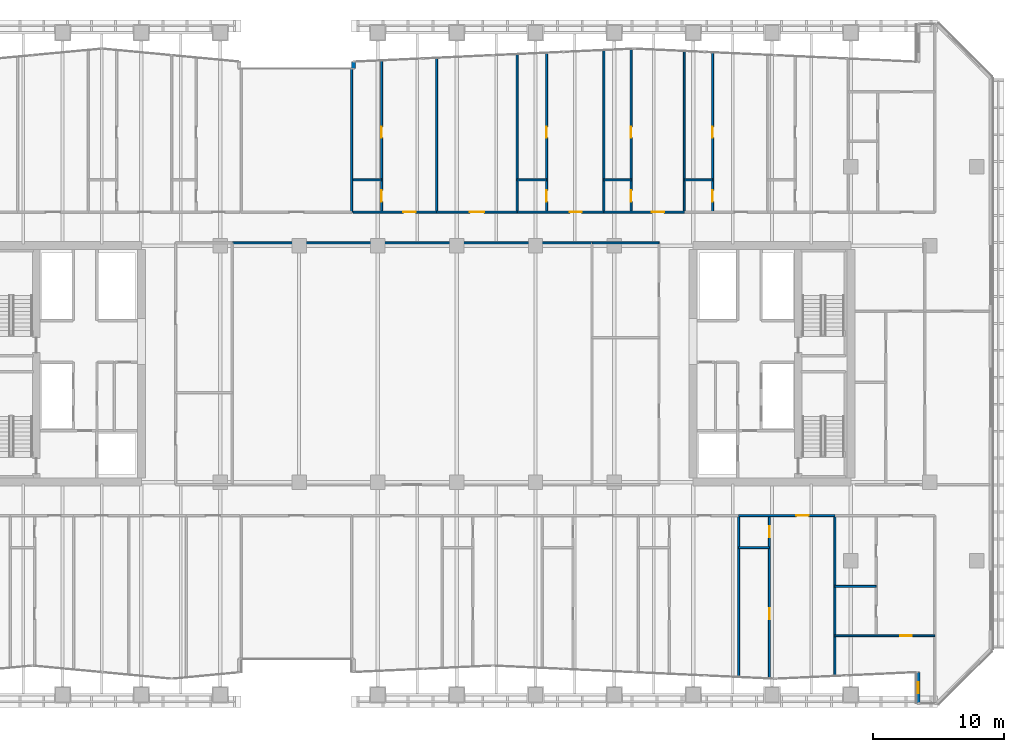
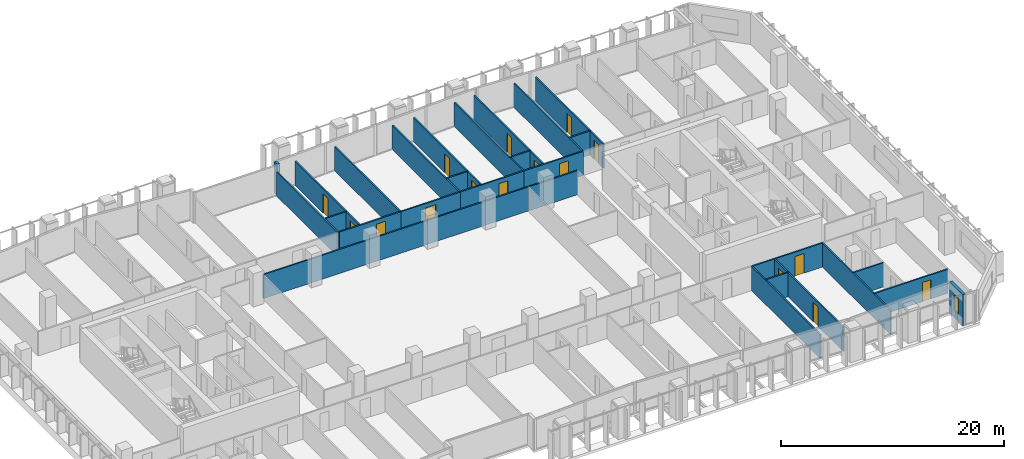
# One storey, part 23 of 32: 28 walls, 16 doors, 1 window, 17 openings.
"""IFC4 building model written with IfcOpenShell, lengths in metres."""

from ifc_helpers import new_model, si_unit, direction, frame, frame_2d, origin, place, context, subcontext, project, spatial, rectangle, extrude, material, layer, layer_set, type_object, element, fill, save


model = new_model("IFC4")

# Units and contexts
model_context = context("Model", 3, precision=1e-05, world=origin(), true_north=direction((0.0, 1.0)))
body_context = subcontext(model_context, "Body", "Model", "MODEL_VIEW")
ifc_project = project(units=[si_unit("LENGTHUNIT", "METRE"), si_unit("AREAUNIT", "SQUARE_METRE"), si_unit("VOLUMEUNIT", "CUBIC_METRE"), si_unit("PLANEANGLEUNIT", "RADIAN"), si_unit("MASSUNIT", "GRAM", prefix="KILO")], contexts=[model_context])

# Site, building, storey
site_placement = place(None, origin())
site = spatial("IfcSite", under=ifc_project, at=site_placement, CompositionType="ELEMENT")
building_placement = place(site_placement, origin())
building = spatial("IfcBuilding", under=site, at=building_placement, Name="Tanjung Sevakor Pilgrim Tower", CompositionType="ELEMENT")
storey_placement = place(building_placement, frame((0.0, 0.0, 62.3701171875)))
storey = spatial("IfcBuildingStorey", under=building, at=storey_placement, Name="L17", CompositionType="ELEMENT", Elevation=62.3701171875)

# Walls
ifc_material_1 = material(Name="Concrete C40/50", Category="concrete")
ifc_layer_1 = layer(ifc_material_1, 0.14990234375)
ifc_layer_set_1 = layer_set([ifc_layer_1], Name="WT-COMP-150")
wall_type_1 = type_object("IfcWallType", Name="WT-COMP-150", PredefinedType="SOLIDWALL", material=ifc_layer_set_1)
wall_1_placement = place(storey_placement, frame((42.89990234375, 42.800048828125, 0.0), z_axis=(0.0, 0.0, 1.0), x_axis=(1.0, 0.0, 0.0)))
element("IfcWall", 1, at=wall_1_placement, inside=storey, type_object=wall_type_1, Name="L17 Partition IW-L17-031", PredefinedType="SOLIDWALL", context=body_context, shape_type="SweptSolid", body=[
    extrude(rectangle(XDim=27.400146484375, YDim=0.14990234375, at=frame_2d((13.7001953125, 0.0))), origin(), (0.0, 0.0, 1.0), 2.625244140625),
])
wall_2_placement = place(storey_placement, frame((70.300048828125, 42.800048828125, 0.0), z_axis=(0.0, 0.0, 1.0), x_axis=(1.0, 0.0, 0.0)))
element("IfcWall", 2, at=wall_2_placement, inside=storey, type_object=wall_type_1, Name="L17 Partition IW-L17-037", PredefinedType="SOLIDWALL", context=body_context, shape_type="SweptSolid", body=[
    extrude(rectangle(XDim=5.099853515625, YDim=0.14990234375, at=frame_2d((2.5498046875, 0.0))), origin(), (0.0, 0.0, 1.0), 2.625244140625),
])
wall_3_placement = place(storey_placement, frame((52.0, 45.14990234375, 0.0), z_axis=(0.0, 0.0, 1.0), x_axis=(0.0, 1.0, 0.0)))
element("IfcWall", 3, at=wall_3_placement, inside=storey, type_object=wall_type_1, Name="L17 Partition IW-L17-051", PredefinedType="SOLIDWALL", context=body_context, shape_type="SweptSolid", body=[
    extrude(rectangle(XDim=10.91015625, YDim=0.14990234375, at=frame_2d((5.455078125, 0.0))), origin(), (0.0, 0.0, 1.0), 2.6298828125),
])
wall_4_placement = place(storey_placement, frame((81.451904296875, 9.750244140625, 0.0), z_axis=(0.0, 0.0, 1.0), x_axis=(0.0, 1.0, 0.0)))
element("IfcWall", 4, at=wall_4_placement, inside=storey, type_object=wall_type_1, Name="L17 Partition IW-L17-075", PredefinedType="SOLIDWALL", context=body_context, shape_type="SweptSolid", body=[
    extrude(rectangle(XDim=12.2998046875, YDim=0.14990234375, at=frame_2d((6.14990234375, 0.0))), origin(), (0.0, 0.0, 1.0), 2.6298828125),
])
wall_5_placement = place(storey_placement, frame((88.784912109375, 9.8310546875, 0.0), z_axis=(0.0, 0.0, 1.0), x_axis=(0.0, 1.0, 0.0)))
element("IfcWall", 5, at=wall_5_placement, inside=storey, type_object=wall_type_1, Name="L17 Partition IW-L17-079", PredefinedType="SOLIDWALL", context=body_context, shape_type="SweptSolid", body=[
    extrude(rectangle(XDim=12.218994140625, YDim=0.14990234375, at=frame_2d((6.109375, 0.0))), origin(), (0.0, 0.0, 1.0), 2.6298828125),
])

# Wall, opening, door
wall_6_placement = place(storey_placement, frame((81.451904296875, 22.050048828125, 0.0), z_axis=(0.0, 0.0, 1.0), x_axis=(1.0, 0.0, 0.0)))
wall_6 = element("IfcWall", 6, at=wall_6_placement, inside=storey, type_object=wall_type_1, Name="L17 Partition IW-L17-082", PredefinedType="SOLIDWALL", context=body_context, shape_type="SweptSolid", body=[
    extrude(rectangle(XDim=7.3330078125, YDim=0.14990234375, at=frame_2d((3.66650390625, 0.0))), origin(), (0.0, 0.0, 1.0), 2.6298828125),
])
opening_1_placement = place(wall_6_placement, frame((4.406494140625, 0.0, 0.0)))
opening_1 = element("IfcOpeningElement", 7, at=opening_1_placement, cuts=wall_6, Name="Opening ID-FD2", PredefinedType="OPENING", context=body_context, shape_type="SweptSolid", body=[
    extrude(rectangle(XDim=0.949951171875, YDim=2.14990234375, at=frame_2d((0.47509765625, 1.074951171875))), frame((0.0, 0.0849609375, 0.0), z_axis=(0.0, -1.0, 0.0), x_axis=(1.0, 0.0, 0.0)), (0.0, 0.0, 1.0), 0.169921875),
])
ifc_material_2 = material(Name="Fire-Rated Timber", Category="wood")
door_type_1 = type_object("IfcDoorType", Name="DT-FIRE-950", OperationType="NOTDEFINED", PredefinedType="DOOR", material=ifc_material_2)
door_1_placement = place(opening_1_placement, origin())
door_1 = element("IfcDoor", 8, at=door_1_placement, inside=storey, type_object=door_type_1, Name="Hostel Quad Entrance", OperationType="SINGLE_SWING_LEFT", OverallHeight=2.14990234375, OverallWidth=0.949951171875, PredefinedType="DOOR", context=body_context, shape_type="SweptSolid", body=[
    extrude(rectangle(XDim=0.949951171875, YDim=2.14990234375, at=frame_2d((0.47509765625, 1.074951171875))), frame((0.0, 0.02490234375, 0.0), z_axis=(0.0, -1.0, 0.0), x_axis=(1.0, 0.0, 0.0)), (0.0, 0.0, 1.0), 0.050048828125),
])
fill(opening_1, door_1)

# Wall
wall_7_placement = place(storey_placement, frame((58.4794921875, 45.14990234375, 0.0), z_axis=(0.0, 0.0, 1.0), x_axis=(0.0, 1.0, 0.0)))
element("IfcWall", 9, at=wall_7_placement, inside=storey, type_object=wall_type_1, Name="L17 Partition IW-L17-100", PredefinedType="SOLIDWALL", context=body_context, shape_type="SweptSolid", body=[
    extrude(rectangle(XDim=11.7314453125, YDim=0.14990234375, at=frame_2d((5.86572265625, 0.0))), origin(), (0.0, 0.0, 1.0), 2.6298828125),
])

# Wall, opening, door
wall_8_placement = place(storey_placement, frame((52.1201171875, 45.14990234375, 0.0), z_axis=(0.0, 0.0, 1.0), x_axis=(1.0, 0.0, 0.0)))
wall_8 = element("IfcWall", 10, at=wall_8_placement, inside=storey, type_object=wall_type_1, Name="L17 Partition IW-L17-103", PredefinedType="SOLIDWALL", context=body_context, shape_type="SweptSolid", body=[
    extrude(rectangle(XDim=6.359375, YDim=0.14990234375, at=frame_2d((3.1796875, 0.0))), origin(), (0.0, 0.0, 1.0), 2.6298828125),
])
opening_2_placement = place(wall_8_placement, frame((3.82568359375, 0.0, 0.0)))
opening_2 = element("IfcOpeningElement", 11, at=opening_2_placement, cuts=wall_8, Name="Opening ID-FD2", PredefinedType="OPENING", context=body_context, shape_type="SweptSolid", body=[
    extrude(rectangle(XDim=0.949951171875, YDim=2.14990234375, at=frame_2d((0.47509765625, 1.074951171875))), frame((0.0, 0.0849609375, 0.0), z_axis=(0.0, -1.0, 0.0), x_axis=(1.0, 0.0, 0.0)), (0.0, 0.0, 1.0), 0.169921875),
])
door_2_placement = place(opening_2_placement, origin())
door_2 = element("IfcDoor", 12, at=door_2_placement, inside=storey, type_object=door_type_1, Name="Hostel Quad Entrance", OperationType="SINGLE_SWING_RIGHT", OverallHeight=2.14990234375, OverallWidth=0.949951171875, PredefinedType="DOOR", context=body_context, shape_type="SweptSolid", body=[
    extrude(rectangle(XDim=0.949951171875, YDim=2.14990234375, at=frame_2d((0.47509765625, 1.074951171875))), frame((0.0, 0.02490234375, 0.0), z_axis=(0.0, -1.0, 0.0), x_axis=(1.0, 0.0, 0.0)), (0.0, 0.0, 1.0), 0.050048828125),
])
fill(opening_2, door_2)

# Wall
wall_9_placement = place(storey_placement, frame((64.603271484375, 45.14990234375, 0.0), z_axis=(0.0, 0.0, 1.0), x_axis=(0.0, 1.0, 0.0)))
element("IfcWall", 13, at=wall_9_placement, inside=storey, type_object=wall_type_1, Name="L17 Partition IW-L17-104", PredefinedType="SOLIDWALL", context=body_context, shape_type="SweptSolid", body=[
    extrude(rectangle(XDim=12.01611328125, YDim=0.14990234375, at=frame_2d((6.008056640625, 0.0))), origin(), (0.0, 0.0, 1.0), 2.6298828125),
])

# Wall, opening, door
wall_10_placement = place(storey_placement, frame((58.4794921875, 45.14990234375, 0.0), z_axis=(0.0, 0.0, 1.0), x_axis=(1.0, 0.0, 0.0)))
wall_10 = element("IfcWall", 14, at=wall_10_placement, inside=storey, type_object=wall_type_1, Name="L17 Partition IW-L17-105", PredefinedType="SOLIDWALL", context=body_context, shape_type="SweptSolid", body=[
    extrude(rectangle(XDim=6.123779296875, YDim=0.14990234375, at=frame_2d((3.06201171875, 0.0))), origin(), (0.0, 0.0, 1.0), 2.6298828125),
])
opening_3_placement = place(wall_10_placement, frame((2.511962890625, 0.0, 0.0)))
opening_3 = element("IfcOpeningElement", 15, at=opening_3_placement, cuts=wall_10, Name="Opening ID-FD0", PredefinedType="OPENING", context=body_context, shape_type="SweptSolid", body=[
    extrude(rectangle(XDim=1.10009765625, YDim=2.14990234375, at=frame_2d((0.550048828125, 1.074951171875))), frame((0.0, 0.0849609375, 0.0), z_axis=(0.0, -1.0, 0.0), x_axis=(1.0, 0.0, 0.0)), (0.0, 0.0, 1.0), 0.169921875),
])
ifc_material_3 = material(Name="Fire-Rated Steel S355J2", Category="steel")
door_type_2 = type_object("IfcDoorType", Name="DT-FIRE-1100", OperationType="NOTDEFINED", PredefinedType="DOOR", material=ifc_material_3)
door_3_placement = place(opening_3_placement, origin())
door_3 = element("IfcDoor", 16, at=door_3_placement, inside=storey, type_object=door_type_2, Name="Communal Lounge Door", OperationType="SINGLE_SWING_LEFT", OverallHeight=2.14990234375, OverallWidth=1.10009765625, PredefinedType="DOOR", context=body_context, shape_type="SweptSolid", body=[
    extrude(rectangle(XDim=1.10009765625, YDim=2.14990234375, at=frame_2d((0.550048828125, 1.074951171875))), frame((0.0, 0.02490234375, 0.0), z_axis=(0.0, -1.0, 0.0), x_axis=(1.0, 0.0, 0.0)), (0.0, 0.0, 1.0), 0.050048828125),
])
fill(opening_3, door_3)

# Wall
wall_11_placement = place(storey_placement, frame((71.197998046875, 45.14990234375, 0.0), z_axis=(0.0, 0.0, 1.0), x_axis=(0.0, 1.0, 0.0)))
element("IfcWall", 17, at=wall_11_placement, inside=storey, type_object=wall_type_1, Name="L17 Partition IW-L17-106", PredefinedType="SOLIDWALL", context=body_context, shape_type="SweptSolid", body=[
    extrude(rectangle(XDim=12.322998046875, YDim=0.14990234375, at=frame_2d((6.16162109375, 0.0))), origin(), (0.0, 0.0, 1.0), 2.6298828125),
])

# Wall, opening, door
wall_12_placement = place(storey_placement, frame((64.603271484375, 45.14990234375, 0.0), z_axis=(0.0, 0.0, 1.0), x_axis=(1.0, 0.0, 0.0)))
wall_12 = element("IfcWall", 18, at=wall_12_placement, inside=storey, type_object=wall_type_1, Name="L17 Partition IW-L17-109", PredefinedType="SOLIDWALL", context=body_context, shape_type="SweptSolid", body=[
    extrude(rectangle(XDim=6.5947265625, YDim=0.14990234375, at=frame_2d((3.29736328125, 0.0))), origin(), (0.0, 0.0, 1.0), 2.6298828125),
])
opening_4_placement = place(wall_12_placement, frame((3.983642578125, 0.0, 0.0)))
opening_4 = element("IfcOpeningElement", 19, at=opening_4_placement, cuts=wall_12, Name="Opening ID-FD2", PredefinedType="OPENING", context=body_context, shape_type="SweptSolid", body=[
    extrude(rectangle(XDim=0.949951171875, YDim=2.14990234375, at=frame_2d((0.47509765625, 1.074951171875))), frame((0.0, 0.0849609375, 0.0), z_axis=(0.0, -1.0, 0.0), x_axis=(1.0, 0.0, 0.0)), (0.0, 0.0, 1.0), 0.169921875),
])
door_4_placement = place(opening_4_placement, origin())
door_4 = element("IfcDoor", 20, at=door_4_placement, inside=storey, type_object=door_type_1, Name="Hostel Quad Entrance", OperationType="SINGLE_SWING_RIGHT", OverallHeight=2.14990234375, OverallWidth=0.949951171875, PredefinedType="DOOR", context=body_context, shape_type="SweptSolid", body=[
    extrude(rectangle(XDim=0.949951171875, YDim=2.14990234375, at=frame_2d((0.47509765625, 1.074951171875))), frame((0.0, 0.02490234375, 0.0), z_axis=(0.0, -1.0, 0.0), x_axis=(1.0, 0.0, 0.0)), (0.0, 0.0, 1.0), 0.050048828125),
])
fill(opening_4, door_4)

# Wall
wall_13_placement = place(storey_placement, frame((77.322021484375, 45.14990234375, 0.0), z_axis=(0.0, 0.0, 1.0), x_axis=(0.0, 1.0, 0.0)))
element("IfcWall", 21, at=wall_13_placement, inside=storey, type_object=wall_type_1, Name="L17 Partition IW-L17-110", PredefinedType="SOLIDWALL", context=body_context, shape_type="SweptSolid", body=[
    extrude(rectangle(XDim=12.252197265625, YDim=0.14990234375, at=frame_2d((6.1259765625, 0.0))), origin(), (0.0, 0.0, 1.0), 2.6298828125),
])

# Wall, opening, door
wall_14_placement = place(storey_placement, frame((71.197998046875, 45.14990234375, 0.0), z_axis=(0.0, 0.0, 1.0), x_axis=(1.0, 0.0, 0.0)))
wall_14 = element("IfcWall", 22, at=wall_14_placement, inside=storey, type_object=wall_type_1, Name="L17 Partition IW-L17-113", PredefinedType="SOLIDWALL", context=body_context, shape_type="SweptSolid", body=[
    extrude(rectangle(XDim=6.1240234375, YDim=0.14990234375, at=frame_2d((3.06201171875, 0.0))), origin(), (0.0, 0.0, 1.0), 2.6298828125),
])
opening_5_placement = place(wall_14_placement, frame((3.66796875, 0.0, 0.0)))
opening_5 = element("IfcOpeningElement", 23, at=opening_5_placement, cuts=wall_14, Name="Opening ID-FD2", PredefinedType="OPENING", context=body_context, shape_type="SweptSolid", body=[
    extrude(rectangle(XDim=0.949951171875, YDim=2.14990234375, at=frame_2d((0.47509765625, 1.074951171875))), frame((0.0, 0.0849609375, 0.0), z_axis=(0.0, -1.0, 0.0), x_axis=(1.0, 0.0, 0.0)), (0.0, 0.0, 1.0), 0.169921875),
])
door_5_placement = place(opening_5_placement, origin())
door_5 = element("IfcDoor", 24, at=door_5_placement, inside=storey, type_object=door_type_1, Name="Hostel Quad Entrance", OperationType="SINGLE_SWING_LEFT", OverallHeight=2.14990234375, OverallWidth=0.949951171875, PredefinedType="DOOR", context=body_context, shape_type="SweptSolid", body=[
    extrude(rectangle(XDim=0.949951171875, YDim=2.14990234375, at=frame_2d((0.47509765625, 1.074951171875))), frame((0.0, 0.02490234375, 0.0), z_axis=(0.0, -1.0, 0.0), x_axis=(1.0, 0.0, 0.0)), (0.0, 0.0, 1.0), 0.050048828125),
])
fill(opening_5, door_5)

# Wall, opening, window
ifc_material_4 = material(Name="Precast concrete C45/55", Category="concrete")
ifc_layer_2 = layer(ifc_material_4, 0.280029296875)
ifc_layer_set_2 = layer_set([ifc_layer_2], Name="WT-EW-STN2")
wall_type_2 = type_object("IfcWallType", Name="WT-EW-STN2", PredefinedType="SOLIDWALL", material=ifc_layer_set_2)
wall_15_placement = place(storey_placement, frame((95.139892578125, 10.126708984375, 0.0), z_axis=(0.0, 0.0, 1.0), x_axis=(0.0, -1.0, 0.0)))
wall_15 = element("IfcWall", 25, at=wall_15_placement, inside=storey, type_object=wall_type_2, Name="L17 MAIN Exterior Wall 14", PredefinedType="SOLIDWALL", context=body_context, shape_type="SweptSolid", body=[
    extrude(rectangle(XDim=2.38671875, YDim=0.280029296875, at=frame_2d((1.193359375, 0.0))), origin(), (0.0, 0.0, 1.0), 3.409912109375),
])
opening_6_placement = place(wall_15_placement, frame((0.768310546875, 0.0, 0.780029296875)))
opening_6 = element("IfcOpeningElement", 26, at=opening_6_placement, cuts=wall_15, Name="Opening WN-SLM", PredefinedType="OPENING", context=body_context, shape_type="SweptSolid", body=[
    extrude(rectangle(XDim=0.85009765625, YDim=1.64990234375, at=frame_2d((0.425048828125, 0.824951171875))), frame((0.0, 0.14990234375, 0.0), z_axis=(0.0, -1.0, 0.0), x_axis=(1.0, 0.0, 0.0)), (0.0, 0.0, 1.0), 0.300048828125),
])
ifc_material_5 = material(Name="Thermally Broken Aluminium and Low-E Glass", Category="aluminium")
window_type = type_object("IfcWindowType", Name="WTYP-WN-SLM", PartitioningType="SINGLE_PANEL", PredefinedType="WINDOW", material=ifc_material_5)
window_placement = place(opening_6_placement, origin())
window = element("IfcWindow", 27, at=window_placement, inside=storey, type_object=window_type, Name="L17 Facade Window 01", OverallHeight=1.64990234375, OverallWidth=0.85009765625, PartitioningType="SINGLE_PANEL", PredefinedType="WINDOW", context=body_context, shape_type="SweptSolid", body=[
    extrude(rectangle(XDim=0.85009765625, YDim=1.64990234375, at=frame_2d((0.425048828125, 0.824951171875))), frame((0.0, 0.030029296875, 0.0), z_axis=(0.0, -1.0, 0.0), x_axis=(1.0, 0.0, 0.0)), (0.0, 0.0, 1.0), 0.06005859375),
])
fill(opening_6, window)

# Walls
wall_16_placement = place(storey_placement, frame((52.139892578125, 56.58642578125, 0.0), z_axis=(0.0, 0.0, 1.0), x_axis=(0.0, -1.0, 0.0)))
element("IfcWall", 28, at=wall_16_placement, inside=storey, type_object=wall_type_2, Name="L17 MAIN Exterior Wall 25", PredefinedType="SOLIDWALL", context=body_context, shape_type="SweptSolid", body=[
    extrude(rectangle(XDim=0.5263671875, YDim=0.280029296875, at=frame_2d((0.26318359375, 0.0))), origin(), (0.0, 0.0, 1.0), 3.409912109375),
])
ifc_material_6 = material(Name="Gypsum Board Partition", Category="gypsum board")
ifc_layer_3 = layer(ifc_material_6, 0.14990234375)
ifc_layer_set_3 = layer_set([ifc_layer_3], Name="WT-PART-150")
wall_type_3 = type_object("IfcWallType", Name="WT-PART-150", PredefinedType="PARTITIONING", material=ifc_layer_set_3)
wall_17_placement = place(storey_placement, frame((81.451904296875, 19.60009765625, 0.0), z_axis=(0.0, 0.0, 1.0), x_axis=(1.0, 0.0, 0.0)))
element("IfcWall", 29, at=wall_17_placement, inside=storey, type_object=wall_type_3, Name="L17 Partition IW-L17-080", PredefinedType="PARTITIONING", context=body_context, shape_type="SweptSolid", body=[
    extrude(rectangle(XDim=2.35009765625, YDim=0.14990234375, at=frame_2d((1.175048828125, 0.0))), origin(), (0.0, 0.0, 1.0), 2.6298828125),
])

# Wall, openings, doors
wall_18_placement = place(storey_placement, frame((83.802001953125, 9.64111328125, 0.0), z_axis=(0.0, 0.0, 1.0), x_axis=(0.0, 1.0, 0.0)))
wall_18 = element("IfcWall", 30, at=wall_18_placement, inside=storey, type_object=wall_type_3, Name="L17 Partition IW-L17-081", PredefinedType="PARTITIONING", context=body_context, shape_type="SweptSolid", body=[
    extrude(rectangle(XDim=12.408935546875, YDim=0.14990234375, at=frame_2d((6.20458984375, 0.0))), origin(), (0.0, 0.0, 1.0), 2.6298828125),
])
opening_7_placement = place(wall_18_placement, frame((4.509033203125, 0.0, 0.0)))
opening_7 = element("IfcOpeningElement", 31, at=opening_7_placement, cuts=wall_18, Name="Opening ID-WC1", PredefinedType="OPENING", context=body_context, shape_type="SweptSolid", body=[
    extrude(rectangle(XDim=0.85009765625, YDim=2.10009765625, at=frame_2d((0.425048828125, 1.050048828125))), frame((0.0, 0.0849609375, 0.0), z_axis=(0.0, -1.0, 0.0), x_axis=(1.0, 0.0, 0.0)), (0.0, 0.0, 1.0), 0.169921875),
])
opening_8_placement = place(wall_18_placement, frame((10.759033203125, 0.0, 0.0)))
opening_8 = element("IfcOpeningElement", 32, at=opening_8_placement, cuts=wall_18, Name="Opening ID-WC1", PredefinedType="OPENING", context=body_context, shape_type="SweptSolid", body=[
    extrude(rectangle(XDim=0.85009765625, YDim=2.10009765625, at=frame_2d((0.425048828125, 1.050048828125))), frame((0.0, 0.0849609375, 0.0), z_axis=(0.0, -1.0, 0.0), x_axis=(1.0, 0.0, 0.0)), (0.0, 0.0, 1.0), 0.169921875),
])
ifc_material_7 = material(Name="Moisture-Resistant Timber", Category="wood")
door_type_3 = type_object("IfcDoorType", Name="DT-INT-850", OperationType="NOTDEFINED", PredefinedType="DOOR", material=ifc_material_7)
door_6_placement = place(opening_7_placement, origin())
door_6 = element("IfcDoor", 33, at=door_6_placement, inside=storey, type_object=door_type_3, Name="Study Nook Door", OperationType="SINGLE_SWING_LEFT", OverallHeight=2.10009765625, OverallWidth=0.85009765625, PredefinedType="DOOR", context=body_context, shape_type="SweptSolid", body=[
    extrude(rectangle(XDim=0.85009765625, YDim=2.10009765625, at=frame_2d((0.425048828125, 1.050048828125))), frame((0.0, 0.02490234375, 0.0), z_axis=(0.0, -1.0, 0.0), x_axis=(1.0, 0.0, 0.0)), (0.0, 0.0, 1.0), 0.050048828125),
])
fill(opening_7, door_6)
door_7_placement = place(opening_8_placement, origin())
door_7 = element("IfcDoor", 34, at=door_7_placement, inside=storey, type_object=door_type_3, Name="Bathroom Door", OperationType="SINGLE_SWING_RIGHT", OverallHeight=2.10009765625, OverallWidth=0.85009765625, PredefinedType="DOOR", context=body_context, shape_type="SweptSolid", body=[
    extrude(rectangle(XDim=0.85009765625, YDim=2.10009765625, at=frame_2d((0.425048828125, 1.050048828125))), frame((0.0, 0.02490234375, 0.0), z_axis=(0.0, -1.0, 0.0), x_axis=(1.0, 0.0, 0.0)), (0.0, 0.0, 1.0), 0.050048828125),
])
fill(opening_8, door_7)

# Wall
wall_19_placement = place(storey_placement, frame((88.784912109375, 16.651611328125, 0.0), z_axis=(0.0, 0.0, 1.0), x_axis=(1.0, 0.0, 0.0)))
element("IfcWall", 35, at=wall_19_placement, inside=storey, type_object=wall_type_3, Name="L17 Partition IW-L17-083", PredefinedType="PARTITIONING", context=body_context, shape_type="SweptSolid", body=[
    extrude(rectangle(XDim=3.135009765625, YDim=0.14990234375, at=frame_2d((1.5673828125, 0.0))), origin(), (0.0, 0.0, 1.0), 2.6298828125),
])

# Wall, opening, door
wall_20_placement = place(storey_placement, frame((88.784912109375, 12.89990234375, 0.0), z_axis=(0.0, 0.0, 1.0), x_axis=(1.0, 0.0, 0.0)))
wall_20 = element("IfcWall", 36, at=wall_20_placement, inside=storey, type_object=wall_type_3, Name="L17 Partition IW-L17-085", PredefinedType="PARTITIONING", context=body_context, shape_type="SweptSolid", body=[
    extrude(rectangle(XDim=7.614990234375, YDim=0.14990234375, at=frame_2d((3.8076171875, 0.0))), origin(), (0.0, 0.0, 1.0), 2.6298828125),
])
opening_9_placement = place(wall_20_placement, frame((4.989990234375, 0.0, 0.0)))
opening_9 = element("IfcOpeningElement", 37, at=opening_9_placement, cuts=wall_20, Name="Opening ID-WC1", PredefinedType="OPENING", context=body_context, shape_type="SweptSolid", body=[
    extrude(rectangle(XDim=0.85009765625, YDim=2.10009765625, at=frame_2d((0.425048828125, 1.050048828125))), frame((0.0, 0.0849609375, 0.0), z_axis=(0.0, -1.0, 0.0), x_axis=(1.0, 0.0, 0.0)), (0.0, 0.0, 1.0), 0.169921875),
])
door_8_placement = place(opening_9_placement, origin())
door_8 = element("IfcDoor", 38, at=door_8_placement, inside=storey, type_object=door_type_3, Name="Residence Bedroom Door", OperationType="SINGLE_SWING_RIGHT", OverallHeight=2.10009765625, OverallWidth=0.85009765625, PredefinedType="DOOR", context=body_context, shape_type="SweptSolid", body=[
    extrude(rectangle(XDim=0.85009765625, YDim=2.10009765625, at=frame_2d((0.425048828125, 1.050048828125))), frame((0.0, 0.02490234375, 0.0), z_axis=(0.0, -1.0, 0.0), x_axis=(1.0, 0.0, 0.0)), (0.0, 0.0, 1.0), 0.050048828125),
])
fill(opening_9, door_8)

# Wall
wall_21_placement = place(storey_placement, frame((52.1201171875, 47.60009765625, 0.0), z_axis=(0.0, 0.0, 1.0), x_axis=(1.0, 0.0, 0.0)))
element("IfcWall", 39, at=wall_21_placement, inside=storey, type_object=wall_type_3, Name="L17 Partition IW-L17-101", PredefinedType="PARTITIONING", context=body_context, shape_type="SweptSolid", body=[
    extrude(rectangle(XDim=2.162109375, YDim=0.14990234375, at=frame_2d((1.0810546875, 0.0))), origin(), (0.0, 0.0, 1.0), 2.6298828125),
])

# Wall, openings, doors
wall_22_placement = place(storey_placement, frame((54.2822265625, 45.14990234375, 0.0), z_axis=(0.0, 0.0, 1.0), x_axis=(0.0, 1.0, 0.0)))
wall_22 = element("IfcWall", 40, at=wall_22_placement, inside=storey, type_object=wall_type_3, Name="L17 Partition IW-L17-102", PredefinedType="PARTITIONING", context=body_context, shape_type="SweptSolid", body=[
    extrude(rectangle(XDim=11.5361328125, YDim=0.14990234375, at=frame_2d((5.76806640625, 0.0))), origin(), (0.0, 0.0, 1.0), 2.6298828125),
])
opening_10_placement = place(wall_22_placement, frame((0.800048828125, 0.0, 0.0)))
opening_10 = element("IfcOpeningElement", 41, at=opening_10_placement, cuts=wall_22, Name="Opening ID-WC1", PredefinedType="OPENING", context=body_context, shape_type="SweptSolid", body=[
    extrude(rectangle(XDim=0.85009765625, YDim=2.10009765625, at=frame_2d((0.425048828125, 1.050048828125))), frame((0.0, 0.0849609375, 0.0), z_axis=(0.0, -1.0, 0.0), x_axis=(1.0, 0.0, 0.0)), (0.0, 0.0, 1.0), 0.169921875),
])
opening_11_placement = place(wall_22_placement, frame((5.64990234375, 0.0, 0.0)))
opening_11 = element("IfcOpeningElement", 42, at=opening_11_placement, cuts=wall_22, Name="Opening ID-WC1", PredefinedType="OPENING", context=body_context, shape_type="SweptSolid", body=[
    extrude(rectangle(XDim=0.85009765625, YDim=2.10009765625, at=frame_2d((0.425048828125, 1.050048828125))), frame((0.0, 0.0849609375, 0.0), z_axis=(0.0, -1.0, 0.0), x_axis=(1.0, 0.0, 0.0)), (0.0, 0.0, 1.0), 0.169921875),
])
door_9_placement = place(opening_10_placement, origin())
door_9 = element("IfcDoor", 43, at=door_9_placement, inside=storey, type_object=door_type_3, Name="Bathroom Door", OperationType="SINGLE_SWING_RIGHT", OverallHeight=2.10009765625, OverallWidth=0.85009765625, PredefinedType="DOOR", context=body_context, shape_type="SweptSolid", body=[
    extrude(rectangle(XDim=0.85009765625, YDim=2.10009765625, at=frame_2d((0.425048828125, 1.050048828125))), frame((0.0, 0.02490234375, 0.0), z_axis=(0.0, -1.0, 0.0), x_axis=(1.0, 0.0, 0.0)), (0.0, 0.0, 1.0), 0.050048828125),
])
fill(opening_10, door_9)
door_10_placement = place(opening_11_placement, origin())
door_10 = element("IfcDoor", 44, at=door_10_placement, inside=storey, type_object=door_type_3, Name="Study Nook Door", OperationType="SINGLE_SWING_LEFT", OverallHeight=2.10009765625, OverallWidth=0.85009765625, PredefinedType="DOOR", context=body_context, shape_type="SweptSolid", body=[
    extrude(rectangle(XDim=0.85009765625, YDim=2.10009765625, at=frame_2d((0.425048828125, 1.050048828125))), frame((0.0, 0.02490234375, 0.0), z_axis=(0.0, -1.0, 0.0), x_axis=(1.0, 0.0, 0.0)), (0.0, 0.0, 1.0), 0.050048828125),
])
fill(opening_11, door_10)

# Wall
wall_23_placement = place(storey_placement, frame((64.603271484375, 47.60009765625, 0.0), z_axis=(0.0, 0.0, 1.0), x_axis=(1.0, 0.0, 0.0)))
element("IfcWall", 45, at=wall_23_placement, inside=storey, type_object=wall_type_3, Name="L17 Partition IW-L17-107", PredefinedType="PARTITIONING", context=body_context, shape_type="SweptSolid", body=[
    extrude(rectangle(XDim=2.2421875, YDim=0.14990234375, at=frame_2d((1.12109375, 0.0))), origin(), (0.0, 0.0, 1.0), 2.6298828125),
])

# Wall, openings, doors
wall_24_placement = place(storey_placement, frame((66.845458984375, 45.14990234375, 0.0), z_axis=(0.0, 0.0, 1.0), x_axis=(0.0, 1.0, 0.0)))
wall_24 = element("IfcWall", 46, at=wall_24_placement, inside=storey, type_object=wall_type_3, Name="L17 Partition IW-L17-108", PredefinedType="PARTITIONING", context=body_context, shape_type="SweptSolid", body=[
    extrude(rectangle(XDim=12.120361328125, YDim=0.14990234375, at=frame_2d((6.06005859375, 0.0))), origin(), (0.0, 0.0, 1.0), 2.6298828125),
])
opening_12_placement = place(wall_24_placement, frame((0.800048828125, 0.0, 0.0)))
opening_12 = element("IfcOpeningElement", 47, at=opening_12_placement, cuts=wall_24, Name="Opening ID-WC1", PredefinedType="OPENING", context=body_context, shape_type="SweptSolid", body=[
    extrude(rectangle(XDim=0.85009765625, YDim=2.10009765625, at=frame_2d((0.425048828125, 1.050048828125))), frame((0.0, 0.0849609375, 0.0), z_axis=(0.0, -1.0, 0.0), x_axis=(1.0, 0.0, 0.0)), (0.0, 0.0, 1.0), 0.169921875),
])
opening_13_placement = place(wall_24_placement, frame((5.64990234375, 0.0, 0.0)))
opening_13 = element("IfcOpeningElement", 48, at=opening_13_placement, cuts=wall_24, Name="Opening ID-WC1", PredefinedType="OPENING", context=body_context, shape_type="SweptSolid", body=[
    extrude(rectangle(XDim=0.85009765625, YDim=2.10009765625, at=frame_2d((0.425048828125, 1.050048828125))), frame((0.0, 0.0849609375, 0.0), z_axis=(0.0, -1.0, 0.0), x_axis=(1.0, 0.0, 0.0)), (0.0, 0.0, 1.0), 0.169921875),
])
door_11_placement = place(opening_12_placement, origin())
door_11 = element("IfcDoor", 49, at=door_11_placement, inside=storey, type_object=door_type_3, Name="Bathroom Door", OperationType="SINGLE_SWING_RIGHT", OverallHeight=2.10009765625, OverallWidth=0.85009765625, PredefinedType="DOOR", context=body_context, shape_type="SweptSolid", body=[
    extrude(rectangle(XDim=0.85009765625, YDim=2.10009765625, at=frame_2d((0.425048828125, 1.050048828125))), frame((0.0, 0.02490234375, 0.0), z_axis=(0.0, -1.0, 0.0), x_axis=(1.0, 0.0, 0.0)), (0.0, 0.0, 1.0), 0.050048828125),
])
fill(opening_12, door_11)
door_12_placement = place(opening_13_placement, origin())
door_12 = element("IfcDoor", 50, at=door_12_placement, inside=storey, type_object=door_type_3, Name="Study Nook Door", OperationType="SINGLE_SWING_LEFT", OverallHeight=2.10009765625, OverallWidth=0.85009765625, PredefinedType="DOOR", context=body_context, shape_type="SweptSolid", body=[
    extrude(rectangle(XDim=0.85009765625, YDim=2.10009765625, at=frame_2d((0.425048828125, 1.050048828125))), frame((0.0, 0.02490234375, 0.0), z_axis=(0.0, -1.0, 0.0), x_axis=(1.0, 0.0, 0.0)), (0.0, 0.0, 1.0), 0.050048828125),
])
fill(opening_13, door_12)

# Wall
wall_25_placement = place(storey_placement, frame((71.197998046875, 47.60009765625, 0.0), z_axis=(0.0, 0.0, 1.0), x_axis=(1.0, 0.0, 0.0)))
element("IfcWall", 51, at=wall_25_placement, inside=storey, type_object=wall_type_3, Name="L17 Partition IW-L17-111", PredefinedType="PARTITIONING", context=body_context, shape_type="SweptSolid", body=[
    extrude(rectangle(XDim=2.082275390625, YDim=0.14990234375, at=frame_2d((1.041015625, 0.0))), origin(), (0.0, 0.0, 1.0), 2.6298828125),
])

# Wall, openings, doors
wall_26_placement = place(storey_placement, frame((73.2802734375, 45.14990234375, 0.0), z_axis=(0.0, 0.0, 1.0), x_axis=(0.0, 1.0, 0.0)))
wall_26 = element("IfcWall", 52, at=wall_26_placement, inside=storey, type_object=wall_type_3, Name="L17 Partition IW-L17-112", PredefinedType="PARTITIONING", context=body_context, shape_type="SweptSolid", body=[
    extrude(rectangle(XDim=12.419677734375, YDim=0.14990234375, at=frame_2d((6.2099609375, 0.0))), origin(), (0.0, 0.0, 1.0), 2.6298828125),
])
opening_14_placement = place(wall_26_placement, frame((0.800048828125, 0.0, 0.0)))
opening_14 = element("IfcOpeningElement", 53, at=opening_14_placement, cuts=wall_26, Name="Opening ID-WC1", PredefinedType="OPENING", context=body_context, shape_type="SweptSolid", body=[
    extrude(rectangle(XDim=0.85009765625, YDim=2.10009765625, at=frame_2d((0.425048828125, 1.050048828125))), frame((0.0, 0.0849609375, 0.0), z_axis=(0.0, -1.0, 0.0), x_axis=(1.0, 0.0, 0.0)), (0.0, 0.0, 1.0), 0.169921875),
])
opening_15_placement = place(wall_26_placement, frame((5.64990234375, 0.0, 0.0)))
opening_15 = element("IfcOpeningElement", 54, at=opening_15_placement, cuts=wall_26, Name="Opening ID-WC1", PredefinedType="OPENING", context=body_context, shape_type="SweptSolid", body=[
    extrude(rectangle(XDim=0.85009765625, YDim=2.10009765625, at=frame_2d((0.425048828125, 1.050048828125))), frame((0.0, 0.0849609375, 0.0), z_axis=(0.0, -1.0, 0.0), x_axis=(1.0, 0.0, 0.0)), (0.0, 0.0, 1.0), 0.169921875),
])
door_13_placement = place(opening_14_placement, origin())
door_13 = element("IfcDoor", 55, at=door_13_placement, inside=storey, type_object=door_type_3, Name="Bathroom Door", OperationType="SINGLE_SWING_LEFT", OverallHeight=2.10009765625, OverallWidth=0.85009765625, PredefinedType="DOOR", context=body_context, shape_type="SweptSolid", body=[
    extrude(rectangle(XDim=0.85009765625, YDim=2.10009765625, at=frame_2d((0.425048828125, 1.050048828125))), frame((0.0, 0.02490234375, 0.0), z_axis=(0.0, -1.0, 0.0), x_axis=(1.0, 0.0, 0.0)), (0.0, 0.0, 1.0), 0.050048828125),
])
fill(opening_14, door_13)
door_14_placement = place(opening_15_placement, origin())
door_14 = element("IfcDoor", 56, at=door_14_placement, inside=storey, type_object=door_type_3, Name="Study Nook Door", OperationType="SINGLE_SWING_RIGHT", OverallHeight=2.10009765625, OverallWidth=0.85009765625, PredefinedType="DOOR", context=body_context, shape_type="SweptSolid", body=[
    extrude(rectangle(XDim=0.85009765625, YDim=2.10009765625, at=frame_2d((0.425048828125, 1.050048828125))), frame((0.0, 0.02490234375, 0.0), z_axis=(0.0, -1.0, 0.0), x_axis=(1.0, 0.0, 0.0)), (0.0, 0.0, 1.0), 0.050048828125),
])
fill(opening_15, door_14)

# Wall
wall_27_placement = place(storey_placement, frame((77.322021484375, 47.60009765625, 0.0), z_axis=(0.0, 0.0, 1.0), x_axis=(1.0, 0.0, 0.0)))
element("IfcWall", 57, at=wall_27_placement, inside=storey, type_object=wall_type_3, Name="L17 Partition IW-L17-115", PredefinedType="PARTITIONING", context=body_context, shape_type="SweptSolid", body=[
    extrude(rectangle(XDim=2.162109375, YDim=0.14990234375, at=frame_2d((1.0810546875, 0.0))), origin(), (0.0, 0.0, 1.0), 2.6298828125),
])

# Wall, openings, doors
wall_28_placement = place(storey_placement, frame((79.484130859375, 45.14990234375, 0.0), z_axis=(0.0, 0.0, 1.0), x_axis=(0.0, 1.0, 0.0)))
wall_28 = element("IfcWall", 58, at=wall_28_placement, inside=storey, type_object=wall_type_3, Name="L17 Partition IW-L17-116", PredefinedType="PARTITIONING", context=body_context, shape_type="SweptSolid", body=[
    extrude(rectangle(XDim=12.151611328125, YDim=0.14990234375, at=frame_2d((6.07568359375, 0.0))), origin(), (0.0, 0.0, 1.0), 2.6298828125),
])
opening_16_placement = place(wall_28_placement, frame((0.800048828125, 0.0, 0.0)))
opening_16 = element("IfcOpeningElement", 59, at=opening_16_placement, cuts=wall_28, Name="Opening ID-WC1", PredefinedType="OPENING", context=body_context, shape_type="SweptSolid", body=[
    extrude(rectangle(XDim=0.85009765625, YDim=2.10009765625, at=frame_2d((0.425048828125, 1.050048828125))), frame((0.0, 0.0849609375, 0.0), z_axis=(0.0, -1.0, 0.0), x_axis=(1.0, 0.0, 0.0)), (0.0, 0.0, 1.0), 0.169921875),
])
opening_17_placement = place(wall_28_placement, frame((5.64990234375, 0.0, 0.0)))
opening_17 = element("IfcOpeningElement", 60, at=opening_17_placement, cuts=wall_28, Name="Opening ID-WC1", PredefinedType="OPENING", context=body_context, shape_type="SweptSolid", body=[
    extrude(rectangle(XDim=0.85009765625, YDim=2.10009765625, at=frame_2d((0.425048828125, 1.050048828125))), frame((0.0, 0.0849609375, 0.0), z_axis=(0.0, -1.0, 0.0), x_axis=(1.0, 0.0, 0.0)), (0.0, 0.0, 1.0), 0.169921875),
])
door_15_placement = place(opening_16_placement, origin())
door_15 = element("IfcDoor", 61, at=door_15_placement, inside=storey, type_object=door_type_3, Name="Bathroom Door", OperationType="SINGLE_SWING_RIGHT", OverallHeight=2.10009765625, OverallWidth=0.85009765625, PredefinedType="DOOR", context=body_context, shape_type="SweptSolid", body=[
    extrude(rectangle(XDim=0.85009765625, YDim=2.10009765625, at=frame_2d((0.425048828125, 1.050048828125))), frame((0.0, 0.02490234375, 0.0), z_axis=(0.0, -1.0, 0.0), x_axis=(1.0, 0.0, 0.0)), (0.0, 0.0, 1.0), 0.050048828125),
])
fill(opening_16, door_15)
door_16_placement = place(opening_17_placement, origin())
door_16 = element("IfcDoor", 62, at=door_16_placement, inside=storey, type_object=door_type_3, Name="Study Nook Door", OperationType="SINGLE_SWING_LEFT", OverallHeight=2.10009765625, OverallWidth=0.85009765625, PredefinedType="DOOR", context=body_context, shape_type="SweptSolid", body=[
    extrude(rectangle(XDim=0.85009765625, YDim=2.10009765625, at=frame_2d((0.425048828125, 1.050048828125))), frame((0.0, 0.02490234375, 0.0), z_axis=(0.0, -1.0, 0.0), x_axis=(1.0, 0.0, 0.0)), (0.0, 0.0, 1.0), 0.050048828125),
])
fill(opening_17, door_16)

save(model, "model.ifc")
